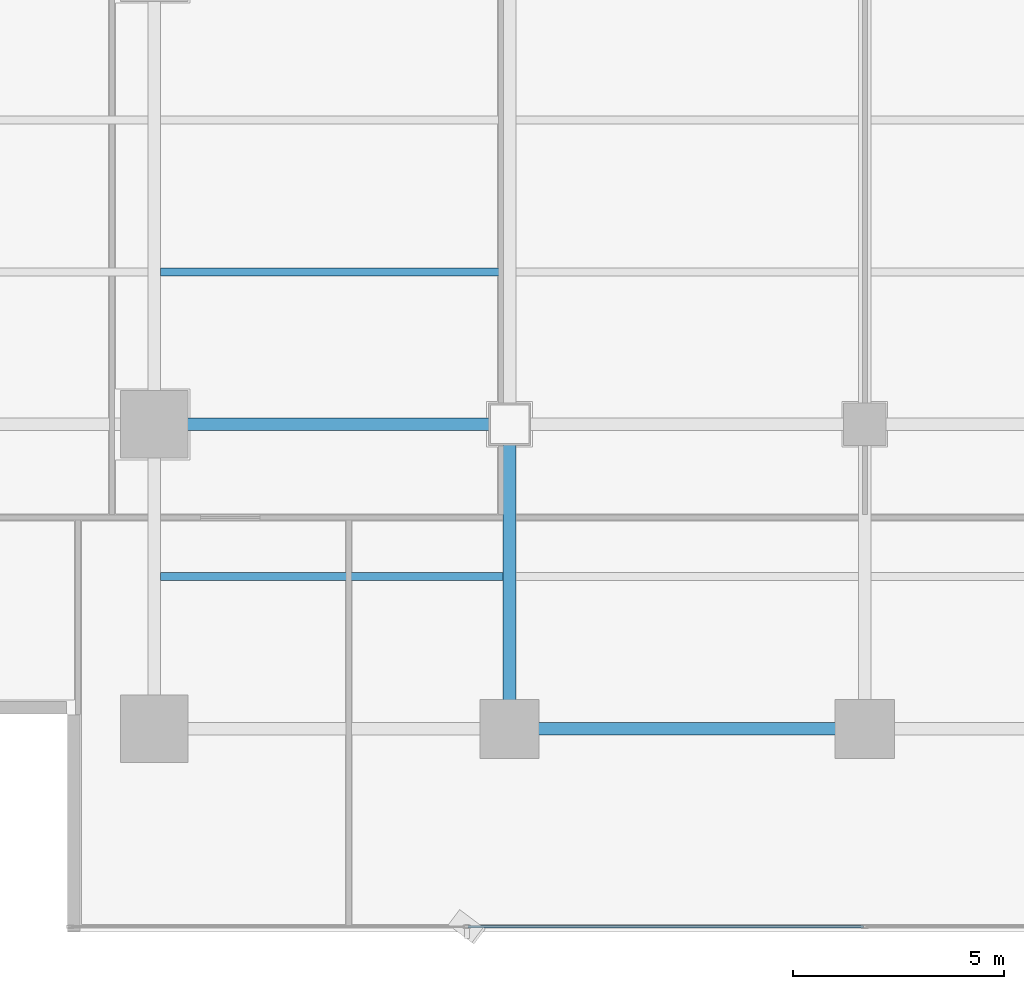
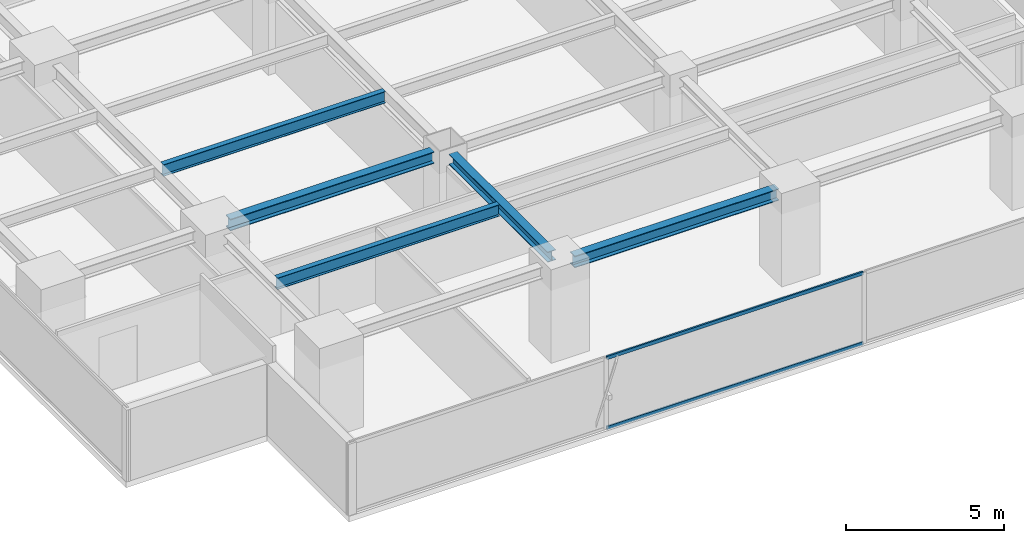
# One storey, part 4 of 28: 5 beams, 2 members, 1 element without a shape of its own.
"""IFC4 building model written with IfcOpenShell, lengths in metres."""

from ifc_helpers import new_model, si_unit, direction, frame, origin, origin_2d, place, context, subcontext, project, spatial, hollow_rectangle, i_section, extrude, source, transform, mapped, material, layer, layer_set, material_profile, profile_set, type_object, element, aggregate, save


model = new_model("IFC4")

# Units and contexts
model_context = context("Model", 3, precision=1e-05, world=origin(), true_north=direction((0.0, 1.0)))
body_context = subcontext(model_context, "Body", "Model", "MODEL_VIEW")
ifc_project = project(units=[si_unit("LENGTHUNIT", "METRE"), si_unit("AREAUNIT", "SQUARE_METRE"), si_unit("VOLUMEUNIT", "CUBIC_METRE"), si_unit("PLANEANGLEUNIT", "RADIAN"), si_unit("MASSUNIT", "GRAM", prefix="KILO")], contexts=[model_context])

# Site, building, storey
site_placement = place(None, origin())
site = spatial("IfcSite", under=ifc_project, at=site_placement, CompositionType="ELEMENT")
building_placement = place(site_placement, origin())
building = spatial("IfcBuilding", under=site, at=building_placement, Name="Sumidabori Civic Tower", CompositionType="ELEMENT")
storey_placement = place(building_placement, frame((0.0, 0.0, 182.0)))
storey = spatial("IfcBuildingStorey", under=building, at=storey_placement, Name="L47", CompositionType="ELEMENT", Elevation=182.0)

# Beams
ifc_material_1 = material(Name="Steel SN490", Category="steel")
ifc_material_profile_1 = material_profile(ifc_material_1, i_section(OverallWidth=0.300048828125, OverallDepth=0.39990234375, WebThickness=0.013427734375, FlangeThickness=0.02392578125, at=origin_2d()), Name="HE 400 B")
ifc_profile_set_1 = profile_set([ifc_material_profile_1], Name="Steel SN490")
beam_type_1 = type_object("IfcBeamType", Name="BM-GIRD-400", PredefinedType="BEAM", material=ifc_profile_set_1)
shared_shape_1 = source(origin(), body_context, "Body", "SweptSolid", [
    extrude(i_section(OverallWidth=0.300048828125, OverallDepth=0.39990234375, WebThickness=0.013427734375, FlangeThickness=0.02392578125, at=origin_2d()), origin(), (0.0, 0.0, 1.0), 6.239990234375),
])
beam_1_placement = place(storey_placement, frame((-8.39990234375, -17.52001953125, 3.179931640625), z_axis=(0.0, 1.0, 0.0), x_axis=(-1.0, 0.0, 0.0)))
element("IfcBeam", 1, at=beam_1_placement, inside=storey, type_object=beam_type_1, Name="Primary Girder L47 GY-26", PredefinedType="BEAM", context=body_context, shape_type="MappedRepresentation", body=[
    mapped(shared_shape_1, transform((0.0, 0.0, 0.0), x_axis=(1.0, 0.0, 0.0), y_axis=(0.0, 1.0, 0.0), z_axis=(0.0, 0.0, 1.0), scale=1.0)),
])
ifc_material_profile_2 = material_profile(ifc_material_1, i_section(OverallWidth=0.18994140625, OverallDepth=0.449951171875, WebThickness=0.009521484375, FlangeThickness=0.0146484375, at=origin_2d()), Name="IPE 450")
ifc_profile_set_2 = profile_set([ifc_material_profile_2], Name="Steel SN490")
beam_type_2 = type_object("IfcBeamType", Name="BM-JST-450", PredefinedType="JOIST", material=ifc_profile_set_2)
shared_shape_2 = source(origin(), body_context, "Body", "SweptSolid", [
    extrude(i_section(OverallWidth=0.18994140625, OverallDepth=0.449951171875, WebThickness=0.009521484375, FlangeThickness=0.0146484375, at=origin_2d()), origin(), (0.0, 0.0, 1.0), 8.099853515625),
])
for number, where, z_axis, x_axis, name in (
    (2, (-16.64990234375, -14.39990234375, 3.155029296875), (1.0, 0.0, 0.0), (0.0, 1.0, 0.0), "South Bay Floor Joist L47 JSTS-49"),
    (3, (-16.64990234375, -7.199951171875, 3.155029296875), (1.0, 0.0, 0.0), (0.0, 1.0, 0.0), "South Bay Floor Joist L47 JSTS-53"),
):
    element("IfcBeam", number, at=place(storey_placement, frame(where, z_axis=z_axis, x_axis=x_axis)), inside=storey, type_object=beam_type_2, Name=name, PredefinedType="JOIST", context=body_context, shape_type="MappedRepresentation", body=[
        mapped(shared_shape_2, transform((0.0, 0.0, 0.0), x_axis=(1.0, 0.0, 0.0), y_axis=(0.0, 1.0, 0.0), z_axis=(0.0, 0.0, 1.0), scale=1.0)),
    ])
ifc_material_profile_3 = material_profile(ifc_material_1, i_section(OverallWidth=0.300048828125, OverallDepth=0.449951171875, WebThickness=0.013916015625, FlangeThickness=0.02587890625, at=origin_2d()), Name="HE 450 B")
ifc_profile_set_3 = profile_set([ifc_material_profile_3], Name="Steel SN490")
beam_type_3 = type_object("IfcBeamType", Name="BM-GIRD-450", PredefinedType="BEAM", material=ifc_profile_set_3)
shared_shape_3 = source(origin(), body_context, "Body", "SweptSolid", [
    extrude(i_section(OverallWidth=0.300048828125, OverallDepth=0.449951171875, WebThickness=0.013916015625, FlangeThickness=0.02587890625, at=origin_2d()), origin(), (0.0, 0.0, 1.0), 7.440185546875),
])
beam_2_placement = place(storey_placement, frame((-16.320068359375, -10.800048828125, 3.155029296875), z_axis=(1.0, 0.0, 0.0), x_axis=(0.0, 1.0, 0.0)))
element("IfcBeam", 4, at=beam_2_placement, inside=storey, type_object=beam_type_3, Name="Primary Girder L47 GX-06", PredefinedType="BEAM", context=body_context, shape_type="MappedRepresentation", body=[
    mapped(shared_shape_3, transform((0.0, 0.0, 0.0), x_axis=(1.0, 0.0, 0.0), y_axis=(0.0, 1.0, 0.0), z_axis=(0.0, 0.0, 1.0), scale=1.0)),
])
shared_shape_4 = source(origin(), body_context, "Body", "SweptSolid", [
    extrude(i_section(OverallWidth=0.300048828125, OverallDepth=0.449951171875, WebThickness=0.013916015625, FlangeThickness=0.02587890625, at=origin_2d()), origin(), (0.0, 0.0, 1.0), 7.43994140625),
])
beam_3_placement = place(storey_placement, frame((-7.919921875, -18.0, 3.155029296875), z_axis=(1.0, 0.0, 0.0), x_axis=(0.0, 1.0, 0.0)))
element("IfcBeam", 5, at=beam_3_placement, inside=storey, type_object=beam_type_3, Name="Primary Girder L47 GX-02", PredefinedType="BEAM", context=body_context, shape_type="MappedRepresentation", body=[
    mapped(shared_shape_4, transform((0.0, 0.0, 0.0), x_axis=(1.0, 0.0, 0.0), y_axis=(0.0, 1.0, 0.0), z_axis=(0.0, 0.0, 1.0), scale=1.0)),
])

# Curtain wall, members
ifc_material_2 = material(Name="Anodised Bronze Aluminium AW-6063-T6", Category="aluminium")
ifc_layer = layer(ifc_material_2, 0.179931640625, Name="Anodised Bronze Aluminium AW-6063-T6")
ifc_layer_set = layer_set([ifc_layer], Name="Anodised Bronze Aluminium AW-6063-T6")
curtain_wall_type = type_object("IfcCurtainWallType", Name="CW-SYS-3", PredefinedType="NOTDEFINED", material=ifc_layer_set)
curtain_wall_placement = place(storey_placement, origin())
curtain_wall = element("IfcCurtainWall", 6, at=curtain_wall_placement, inside=storey, type_object=curtain_wall_type, Name="Curtain Wall CW:L47:R01", PredefinedType="NOTDEFINED")
ifc_material_profile_4 = material_profile(ifc_material_2, hollow_rectangle(XDim=0.06005859375, YDim=0.1298828125, WallThickness=0.0048828125, at=origin_2d()), Name="ALU TRANSOM 130x60")
ifc_profile_set_4 = profile_set([ifc_material_profile_4], Name="Anodised Bronze Aluminium AW-6063-T6")
member_type = type_object("IfcMemberType", Name="CW-TRN-130", PredefinedType="USERDEFINED", material=ifc_profile_set_4)
shared_shape_5 = source(origin(), body_context, "Body", "SweptSolid", [
    extrude(hollow_rectangle(XDim=0.06005859375, YDim=0.1298828125, WallThickness=0.0048828125, at=origin_2d()), origin(), (0.0, 0.0, 1.0), 9.344970703125),
])
member_1_placement = place(storey_placement, frame((-9.37744140625, -22.679931640625, 0.030029296875), z_axis=(1.0, 0.0, 0.0), x_axis=(0.0, 1.0, 0.0)))
member_1 = element("IfcMember", 7, at=member_1_placement, type_object=member_type, Name="CW-3 transom 2.1", ObjectType="TRANSOM", PredefinedType="USERDEFINED", context=body_context, shape_type="MappedRepresentation", body=[
    mapped(shared_shape_5, transform((0.0, 0.0, 0.0), x_axis=(1.0, 0.0, 0.0), y_axis=(0.0, 1.0, 0.0), z_axis=(0.0, 0.0, 1.0), scale=1.0)),
])
member_2_placement = place(storey_placement, frame((-9.37744140625, -22.679931640625, 2.72998046875), z_axis=(1.0, 0.0, 0.0), x_axis=(0.0, 1.0, 0.0)))
member_2 = element("IfcMember", 8, at=member_2_placement, type_object=member_type, Name="CW-3 transom 2.2", ObjectType="TRANSOM", PredefinedType="USERDEFINED", context=body_context, shape_type="MappedRepresentation", body=[
    mapped(shared_shape_5, transform((0.0, 0.0, 0.0), x_axis=(1.0, 0.0, 0.0), y_axis=(0.0, 1.0, 0.0), z_axis=(0.0, 0.0, 1.0), scale=1.0)),
])
aggregate(curtain_wall, [member_1, member_2])

save(model, "model.ifc")
